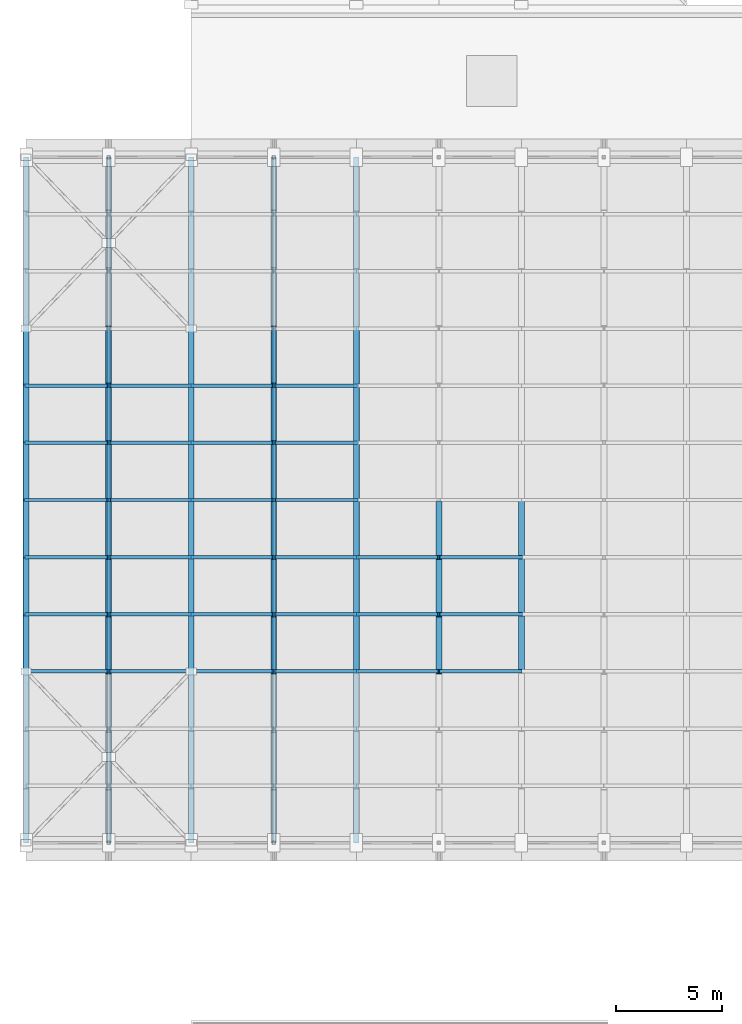
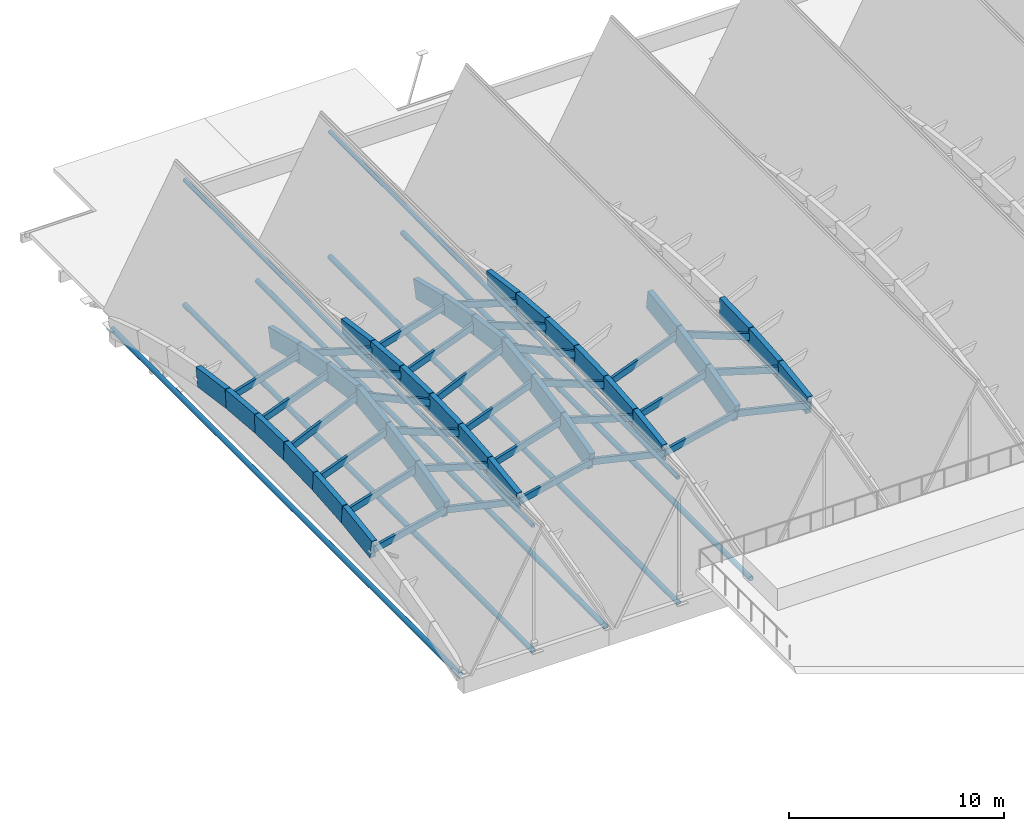
# One storey, part 6 of 39: 73 members.
"""IFC4 building model written with IfcOpenShell, lengths in metres."""

from ifc_helpers import new_model, si_unit, direction, frame, origin, origin_2d, place, context, subcontext, project, spatial, rectangle, hollow_circle, extrude, material, material_profile, profile_set, type_object, element, save


model = new_model("IFC4")

# Units and contexts
model_context = context("Model", 3, precision=1e-05, world=origin(), true_north=direction((0.0, 1.0)))
body_context = subcontext(model_context, "Body", "Model", "MODEL_VIEW")
ifc_project = project(units=[si_unit("LENGTHUNIT", "METRE"), si_unit("AREAUNIT", "SQUARE_METRE"), si_unit("VOLUMEUNIT", "CUBIC_METRE"), si_unit("PLANEANGLEUNIT", "RADIAN"), si_unit("MASSUNIT", "GRAM", prefix="KILO")], contexts=[model_context])

# Site, building, storey
site_placement = place(None, origin())
site = spatial("IfcSite", under=ifc_project, at=site_placement, CompositionType="ELEMENT")
building_placement = place(site_placement, origin())
building = spatial("IfcBuilding", under=site, at=building_placement, Name="Tizgana Railside Sports Hall", CompositionType="ELEMENT")
storey_placement = place(building_placement, frame((0.0, 0.0, 23.699951171875)))
storey = spatial("IfcBuildingStorey", under=building, at=storey_placement, Name="RF", CompositionType="ELEMENT", Elevation=23.699951171875)

# Members
ifc_material_1 = material(Name="Glulam GL32h", Category="wood")
ifc_material_profile_1 = material_profile(ifc_material_1, rectangle(XDim=0.280029296875, YDim=1.050048828125, at=origin_2d()), Name="GL 280x1050")
ifc_profile_set_1 = profile_set([ifc_material_profile_1], Name="Glulam GL32h")
member_type_1 = type_object("IfcMemberType", Name="Glulam Arch Segment GL 280x1050", PredefinedType="USERDEFINED", material=ifc_profile_set_1)
member_1_placement = place(storey_placement, frame((0.0, 48.89990234375, -6.1220703125), z_axis=(0.0, 0.990049503072, 0.140719513456), x_axis=(-1.0, 0.0, 0.0)))
element("IfcMember", 1, at=member_1_placement, inside=storey, type_object=member_type_1, Name="RF V1 Arch Chord MEM-0027", ObjectType="ARCH_SEGMENT", PredefinedType="USERDEFINED", context=body_context, shape_type="SweptSolid", body=[
    extrude(rectangle(XDim=0.280029296875, YDim=1.050048828125, at=origin_2d()), origin(), (0.0, 0.0, 1.0), 2.727294921875),
])
member_2_placement = place(storey_placement, frame((0.0, 51.60009765625, -5.73828125), z_axis=(0.0, 0.996429846681, 0.084424881666), x_axis=(-1.0, 0.0, 0.0)))
element("IfcMember", 2, at=member_2_placement, inside=storey, type_object=member_type_1, Name="RF V1 Arch Chord MEM-0028", ObjectType="ARCH_SEGMENT", PredefinedType="USERDEFINED", context=body_context, shape_type="SweptSolid", body=[
    extrude(rectangle(XDim=0.280029296875, YDim=1.050048828125, at=origin_2d()), origin(), (0.0, 0.0, 1.0), 2.709716796875),
])
for number, where, z_axis, x_axis, name in (
    (3, (0.0, 54.300048828125, -5.509521484375), (0.0, 0.999604813986, 0.028110778294), (-1.0, 0.0, 0.0), "RF V1 Arch Chord MEM-0029"),
    (4, (0.0, 57.0, -5.43359375), (0.0, 0.999604813986, -0.028110778294), (-1.0, 0.0, 0.0), "RF V1 Arch Chord MEM-0030"),
):
    element("IfcMember", number, at=place(storey_placement, frame(where, z_axis=z_axis, x_axis=x_axis)), inside=storey, type_object=member_type_1, Name=name, ObjectType="ARCH_SEGMENT", PredefinedType="USERDEFINED", context=body_context, shape_type="SweptSolid", body=[
        extrude(rectangle(XDim=0.280029296875, YDim=1.050048828125, at=origin_2d()), origin(), (0.0, 0.0, 1.0), 2.700927734375),
    ])
member_3_placement = place(storey_placement, frame((0.0, 59.699951171875, -5.509521484375), z_axis=(0.0, 0.996429846681, -0.084424881666), x_axis=(-1.0, 0.0, 0.0)))
element("IfcMember", 5, at=member_3_placement, inside=storey, type_object=member_type_1, Name="RF V1 Arch Chord MEM-0031", ObjectType="ARCH_SEGMENT", PredefinedType="USERDEFINED", context=body_context, shape_type="SweptSolid", body=[
    extrude(rectangle(XDim=0.280029296875, YDim=1.050048828125, at=origin_2d()), origin(), (0.0, 0.0, 1.0), 2.709716796875),
])
member_4_placement = place(storey_placement, frame((0.0, 62.39990234375, -5.73828125), z_axis=(0.0, 0.990049503072, -0.140719513456), x_axis=(-1.0, 0.0, 0.0)))
element("IfcMember", 6, at=member_4_placement, inside=storey, type_object=member_type_1, Name="RF V1 Arch Chord MEM-0032", ObjectType="ARCH_SEGMENT", PredefinedType="USERDEFINED", context=body_context, shape_type="SweptSolid", body=[
    extrude(rectangle(XDim=0.280029296875, YDim=1.050048828125, at=origin_2d()), origin(), (0.0, 0.0, 1.0), 2.727294921875),
])
member_5_placement = place(storey_placement, frame((3.89990234375, 48.89990234375, -5.221923828125), z_axis=(0.0, 0.969416374533, 0.24542186697), x_axis=(-1.0, 0.0, 0.0)))
element("IfcMember", 7, at=member_5_placement, inside=storey, type_object=member_type_1, Name="RF V1 Arch Chord MEM-0040", ObjectType="ARCH_SEGMENT", PredefinedType="USERDEFINED", context=body_context, shape_type="SweptSolid", body=[
    extrude(rectangle(XDim=0.280029296875, YDim=1.050048828125, at=origin_2d()), origin(), (0.0, 0.0, 1.0), 2.785400390625),
])
member_6_placement = place(storey_placement, frame((3.89990234375, 51.60009765625, -4.538330078125), z_axis=(0.0, 0.981354466381, 0.192206689048), x_axis=(-1.0, 0.0, 0.0)))
element("IfcMember", 8, at=member_6_placement, inside=storey, type_object=member_type_1, Name="RF V1 Arch Chord MEM-0041", ObjectType="ARCH_SEGMENT", PredefinedType="USERDEFINED", context=body_context, shape_type="SweptSolid", body=[
    extrude(rectangle(XDim=0.280029296875, YDim=1.050048828125, at=origin_2d()), origin(), (0.0, 0.0, 1.0), 2.751220703125),
])
for number, where, z_axis, x_axis, name in (
    (9, (3.89990234375, 54.300048828125, -4.009521484375), (0.0, 0.990443057088, 0.137922263126), (-1.0, 0.0, 0.0), "RF V1 Arch Chord MEM-0042"),
    (10, (3.89990234375, 57.0, -3.633544921875), (0.0, 0.990443057088, -0.137922263126), (-1.0, 0.0, 0.0), "RF V1 Arch Chord MEM-0043"),
):
    element("IfcMember", number, at=place(storey_placement, frame(where, z_axis=z_axis, x_axis=x_axis)), inside=storey, type_object=member_type_1, Name=name, ObjectType="ARCH_SEGMENT", PredefinedType="USERDEFINED", context=body_context, shape_type="SweptSolid", body=[
        extrude(rectangle(XDim=0.280029296875, YDim=1.050048828125, at=origin_2d()), origin(), (0.0, 0.0, 1.0), 2.72607421875),
    ])
member_7_placement = place(storey_placement, frame((3.89990234375, 59.699951171875, -4.009521484375), z_axis=(0.0, 0.981354466381, -0.192206689048), x_axis=(-1.0, 0.0, 0.0)))
element("IfcMember", 11, at=member_7_placement, inside=storey, type_object=member_type_1, Name="RF V1 Arch Chord MEM-0044", ObjectType="ARCH_SEGMENT", PredefinedType="USERDEFINED", context=body_context, shape_type="SweptSolid", body=[
    extrude(rectangle(XDim=0.280029296875, YDim=1.050048828125, at=origin_2d()), origin(), (0.0, 0.0, 1.0), 2.751220703125),
])
member_8_placement = place(storey_placement, frame((3.89990234375, 62.39990234375, -4.538330078125), z_axis=(0.0, 0.969416374533, -0.24542186697), x_axis=(-1.0, 0.0, 0.0)))
element("IfcMember", 12, at=member_8_placement, inside=storey, type_object=member_type_1, Name="RF V1 Arch Chord MEM-0045", ObjectType="ARCH_SEGMENT", PredefinedType="USERDEFINED", context=body_context, shape_type="SweptSolid", body=[
    extrude(rectangle(XDim=0.280029296875, YDim=1.050048828125, at=origin_2d()), origin(), (0.0, 0.0, 1.0), 2.785400390625),
])
member_9_placement = place(storey_placement, frame((7.800048828125, 48.89990234375, -6.1220703125), z_axis=(0.0, 0.990049503072, 0.140719513456), x_axis=(-1.0, 0.0, 0.0)))
element("IfcMember", 13, at=member_9_placement, inside=storey, type_object=member_type_1, Name="RF V1 Arch Chord MEM-0053", ObjectType="ARCH_SEGMENT", PredefinedType="USERDEFINED", context=body_context, shape_type="SweptSolid", body=[
    extrude(rectangle(XDim=0.280029296875, YDim=1.050048828125, at=origin_2d()), origin(), (0.0, 0.0, 1.0), 2.727294921875),
])
member_10_placement = place(storey_placement, frame((7.800048828125, 51.60009765625, -5.73828125), z_axis=(0.0, 0.996429846681, 0.084424881666), x_axis=(-1.0, 0.0, 0.0)))
element("IfcMember", 14, at=member_10_placement, inside=storey, type_object=member_type_1, Name="RF V1 Arch Chord MEM-0054", ObjectType="ARCH_SEGMENT", PredefinedType="USERDEFINED", context=body_context, shape_type="SweptSolid", body=[
    extrude(rectangle(XDim=0.280029296875, YDim=1.050048828125, at=origin_2d()), origin(), (0.0, 0.0, 1.0), 2.709716796875),
])
for number, where, z_axis, x_axis, name in (
    (15, (7.800048828125, 54.300048828125, -5.509521484375), (0.0, 0.999604813986, 0.028110778294), (-1.0, 0.0, 0.0), "RF V1 Arch Chord MEM-0055"),
    (16, (7.800048828125, 57.0, -5.43359375), (0.0, 0.999604813986, -0.028110778294), (-1.0, 0.0, 0.0), "RF V1 Arch Chord MEM-0056"),
):
    element("IfcMember", number, at=place(storey_placement, frame(where, z_axis=z_axis, x_axis=x_axis)), inside=storey, type_object=member_type_1, Name=name, ObjectType="ARCH_SEGMENT", PredefinedType="USERDEFINED", context=body_context, shape_type="SweptSolid", body=[
        extrude(rectangle(XDim=0.280029296875, YDim=1.050048828125, at=origin_2d()), origin(), (0.0, 0.0, 1.0), 2.700927734375),
    ])
member_11_placement = place(storey_placement, frame((7.800048828125, 59.699951171875, -5.509521484375), z_axis=(0.0, 0.996429846681, -0.084424881666), x_axis=(-1.0, 0.0, 0.0)))
element("IfcMember", 17, at=member_11_placement, inside=storey, type_object=member_type_1, Name="RF V1 Arch Chord MEM-0057", ObjectType="ARCH_SEGMENT", PredefinedType="USERDEFINED", context=body_context, shape_type="SweptSolid", body=[
    extrude(rectangle(XDim=0.280029296875, YDim=1.050048828125, at=origin_2d()), origin(), (0.0, 0.0, 1.0), 2.709716796875),
])
member_12_placement = place(storey_placement, frame((7.800048828125, 62.39990234375, -5.73828125), z_axis=(0.0, 0.990049503072, -0.140719513456), x_axis=(-1.0, 0.0, 0.0)))
element("IfcMember", 18, at=member_12_placement, inside=storey, type_object=member_type_1, Name="RF V1 Arch Chord MEM-0058", ObjectType="ARCH_SEGMENT", PredefinedType="USERDEFINED", context=body_context, shape_type="SweptSolid", body=[
    extrude(rectangle(XDim=0.280029296875, YDim=1.050048828125, at=origin_2d()), origin(), (0.0, 0.0, 1.0), 2.727294921875),
])
member_13_placement = place(storey_placement, frame((11.699951171875, 48.89990234375, -5.221923828125), z_axis=(0.0, 0.969416374533, 0.24542186697), x_axis=(-1.0, 0.0, 0.0)))
element("IfcMember", 19, at=member_13_placement, inside=storey, type_object=member_type_1, Name="RF V1 Arch Chord MEM-0066", ObjectType="ARCH_SEGMENT", PredefinedType="USERDEFINED", context=body_context, shape_type="SweptSolid", body=[
    extrude(rectangle(XDim=0.280029296875, YDim=1.050048828125, at=origin_2d()), origin(), (0.0, 0.0, 1.0), 2.785400390625),
])
member_14_placement = place(storey_placement, frame((11.699951171875, 51.60009765625, -4.538330078125), z_axis=(0.0, 0.981354466381, 0.192206689048), x_axis=(-1.0, 0.0, 0.0)))
element("IfcMember", 20, at=member_14_placement, inside=storey, type_object=member_type_1, Name="RF V1 Arch Chord MEM-0067", ObjectType="ARCH_SEGMENT", PredefinedType="USERDEFINED", context=body_context, shape_type="SweptSolid", body=[
    extrude(rectangle(XDim=0.280029296875, YDim=1.050048828125, at=origin_2d()), origin(), (0.0, 0.0, 1.0), 2.751220703125),
])
for number, where, z_axis, x_axis, name in (
    (21, (11.699951171875, 54.300048828125, -4.009521484375), (0.0, 0.990443057088, 0.137922263126), (-1.0, 0.0, 0.0), "RF V1 Arch Chord MEM-0068"),
    (22, (11.699951171875, 57.0, -3.633544921875), (0.0, 0.990443057088, -0.137922263126), (-1.0, 0.0, 0.0), "RF V1 Arch Chord MEM-0069"),
):
    element("IfcMember", number, at=place(storey_placement, frame(where, z_axis=z_axis, x_axis=x_axis)), inside=storey, type_object=member_type_1, Name=name, ObjectType="ARCH_SEGMENT", PredefinedType="USERDEFINED", context=body_context, shape_type="SweptSolid", body=[
        extrude(rectangle(XDim=0.280029296875, YDim=1.050048828125, at=origin_2d()), origin(), (0.0, 0.0, 1.0), 2.72607421875),
    ])
member_15_placement = place(storey_placement, frame((11.699951171875, 59.699951171875, -4.009521484375), z_axis=(0.0, 0.981354466381, -0.192206689048), x_axis=(-1.0, 0.0, 0.0)))
element("IfcMember", 23, at=member_15_placement, inside=storey, type_object=member_type_1, Name="RF V1 Arch Chord MEM-0070", ObjectType="ARCH_SEGMENT", PredefinedType="USERDEFINED", context=body_context, shape_type="SweptSolid", body=[
    extrude(rectangle(XDim=0.280029296875, YDim=1.050048828125, at=origin_2d()), origin(), (0.0, 0.0, 1.0), 2.751220703125),
])
member_16_placement = place(storey_placement, frame((11.699951171875, 62.39990234375, -4.538330078125), z_axis=(0.0, 0.969416374533, -0.24542186697), x_axis=(-1.0, 0.0, 0.0)))
element("IfcMember", 24, at=member_16_placement, inside=storey, type_object=member_type_1, Name="RF V1 Arch Chord MEM-0071", ObjectType="ARCH_SEGMENT", PredefinedType="USERDEFINED", context=body_context, shape_type="SweptSolid", body=[
    extrude(rectangle(XDim=0.280029296875, YDim=1.050048828125, at=origin_2d()), origin(), (0.0, 0.0, 1.0), 2.785400390625),
])
member_17_placement = place(storey_placement, frame((15.60009765625, 48.89990234375, -6.1220703125), z_axis=(0.0, 0.990049503072, 0.140719513456), x_axis=(-1.0, 0.0, 0.0)))
element("IfcMember", 25, at=member_17_placement, inside=storey, type_object=member_type_1, Name="RF V1 Arch Chord MEM-0079", ObjectType="ARCH_SEGMENT", PredefinedType="USERDEFINED", context=body_context, shape_type="SweptSolid", body=[
    extrude(rectangle(XDim=0.280029296875, YDim=1.050048828125, at=origin_2d()), origin(), (0.0, 0.0, 1.0), 2.727294921875),
])
member_18_placement = place(storey_placement, frame((15.60009765625, 51.60009765625, -5.73828125), z_axis=(0.0, 0.996429846681, 0.084424881666), x_axis=(-1.0, 0.0, 0.0)))
element("IfcMember", 26, at=member_18_placement, inside=storey, type_object=member_type_1, Name="RF V1 Arch Chord MEM-0080", ObjectType="ARCH_SEGMENT", PredefinedType="USERDEFINED", context=body_context, shape_type="SweptSolid", body=[
    extrude(rectangle(XDim=0.280029296875, YDim=1.050048828125, at=origin_2d()), origin(), (0.0, 0.0, 1.0), 2.709716796875),
])
for number, where, z_axis, x_axis, name in (
    (27, (15.60009765625, 54.300048828125, -5.509521484375), (0.0, 0.999604813986, 0.028110778294), (-1.0, 0.0, 0.0), "RF V1 Arch Chord MEM-0081"),
    (28, (15.60009765625, 57.0, -5.43359375), (0.0, 0.999604813986, -0.028110778294), (-1.0, 0.0, 0.0), "RF V1 Arch Chord MEM-0082"),
):
    element("IfcMember", number, at=place(storey_placement, frame(where, z_axis=z_axis, x_axis=x_axis)), inside=storey, type_object=member_type_1, Name=name, ObjectType="ARCH_SEGMENT", PredefinedType="USERDEFINED", context=body_context, shape_type="SweptSolid", body=[
        extrude(rectangle(XDim=0.280029296875, YDim=1.050048828125, at=origin_2d()), origin(), (0.0, 0.0, 1.0), 2.700927734375),
    ])
member_19_placement = place(storey_placement, frame((15.60009765625, 59.699951171875, -5.509521484375), z_axis=(0.0, 0.996429846681, -0.084424881666), x_axis=(-1.0, 0.0, 0.0)))
element("IfcMember", 29, at=member_19_placement, inside=storey, type_object=member_type_1, Name="RF V1 Arch Chord MEM-0083", ObjectType="ARCH_SEGMENT", PredefinedType="USERDEFINED", context=body_context, shape_type="SweptSolid", body=[
    extrude(rectangle(XDim=0.280029296875, YDim=1.050048828125, at=origin_2d()), origin(), (0.0, 0.0, 1.0), 2.709716796875),
])
member_20_placement = place(storey_placement, frame((15.60009765625, 62.39990234375, -5.73828125), z_axis=(0.0, 0.990049503072, -0.140719513456), x_axis=(-1.0, 0.0, 0.0)))
element("IfcMember", 30, at=member_20_placement, inside=storey, type_object=member_type_1, Name="RF V1 Arch Chord MEM-0084", ObjectType="ARCH_SEGMENT", PredefinedType="USERDEFINED", context=body_context, shape_type="SweptSolid", body=[
    extrude(rectangle(XDim=0.280029296875, YDim=1.050048828125, at=origin_2d()), origin(), (0.0, 0.0, 1.0), 2.727294921875),
])
member_21_placement = place(storey_placement, frame((19.5, 48.89990234375, -5.221923828125), z_axis=(0.0, 0.969416374533, 0.24542186697), x_axis=(-1.0, 0.0, 0.0)))
element("IfcMember", 31, at=member_21_placement, inside=storey, type_object=member_type_1, Name="RF V1 Arch Chord MEM-0092", ObjectType="ARCH_SEGMENT", PredefinedType="USERDEFINED", context=body_context, shape_type="SweptSolid", body=[
    extrude(rectangle(XDim=0.280029296875, YDim=1.050048828125, at=origin_2d()), origin(), (0.0, 0.0, 1.0), 2.785400390625),
])
member_22_placement = place(storey_placement, frame((19.5, 51.60009765625, -4.538330078125), z_axis=(0.0, 0.981354466381, 0.192206689048), x_axis=(-1.0, 0.0, 0.0)))
element("IfcMember", 32, at=member_22_placement, inside=storey, type_object=member_type_1, Name="RF V1 Arch Chord MEM-0093", ObjectType="ARCH_SEGMENT", PredefinedType="USERDEFINED", context=body_context, shape_type="SweptSolid", body=[
    extrude(rectangle(XDim=0.280029296875, YDim=1.050048828125, at=origin_2d()), origin(), (0.0, 0.0, 1.0), 2.751220703125),
])
member_23_placement = place(storey_placement, frame((19.5, 54.300048828125, -4.009521484375), z_axis=(0.0, 0.990443057088, 0.137922263126), x_axis=(-1.0, 0.0, 0.0)))
element("IfcMember", 33, at=member_23_placement, inside=storey, type_object=member_type_1, Name="RF V1 Arch Chord MEM-0094", ObjectType="ARCH_SEGMENT", PredefinedType="USERDEFINED", context=body_context, shape_type="SweptSolid", body=[
    extrude(rectangle(XDim=0.280029296875, YDim=1.050048828125, at=origin_2d()), origin(), (0.0, 0.0, 1.0), 2.72607421875),
])
member_24_placement = place(storey_placement, frame((23.39990234375, 48.89990234375, -6.1220703125), z_axis=(0.0, 0.990049503072, 0.140719513456), x_axis=(-1.0, 0.0, 0.0)))
element("IfcMember", 34, at=member_24_placement, inside=storey, type_object=member_type_1, Name="RF V1 Arch Chord MEM-0105", ObjectType="ARCH_SEGMENT", PredefinedType="USERDEFINED", context=body_context, shape_type="SweptSolid", body=[
    extrude(rectangle(XDim=0.280029296875, YDim=1.050048828125, at=origin_2d()), origin(), (0.0, 0.0, 1.0), 2.727294921875),
])
member_25_placement = place(storey_placement, frame((23.39990234375, 51.60009765625, -5.73828125), z_axis=(0.0, 0.996429846681, 0.084424881666), x_axis=(-1.0, 0.0, 0.0)))
element("IfcMember", 35, at=member_25_placement, inside=storey, type_object=member_type_1, Name="RF V1 Arch Chord MEM-0106", ObjectType="ARCH_SEGMENT", PredefinedType="USERDEFINED", context=body_context, shape_type="SweptSolid", body=[
    extrude(rectangle(XDim=0.280029296875, YDim=1.050048828125, at=origin_2d()), origin(), (0.0, 0.0, 1.0), 2.709716796875),
])
member_26_placement = place(storey_placement, frame((23.39990234375, 54.300048828125, -5.509521484375), z_axis=(0.0, 0.999604813986, 0.028110778294), x_axis=(-1.0, 0.0, 0.0)))
element("IfcMember", 36, at=member_26_placement, inside=storey, type_object=member_type_1, Name="RF V1 Arch Chord MEM-0107", ObjectType="ARCH_SEGMENT", PredefinedType="USERDEFINED", context=body_context, shape_type="SweptSolid", body=[
    extrude(rectangle(XDim=0.280029296875, YDim=1.050048828125, at=origin_2d()), origin(), (0.0, 0.0, 1.0), 2.700927734375),
])
ifc_material_2 = material(Name="Glulam GL28h", Category="wood")
ifc_material_profile_2 = material_profile(ifc_material_2, rectangle(XDim=0.159912109375, YDim=0.360107421875, at=origin_2d()), Name="GL 160x360")
ifc_profile_set_2 = profile_set([ifc_material_profile_2], Name="Glulam GL28h")
member_type_2 = type_object("IfcMemberType", Name="Glulam Roof Purlin GL 160x360", PredefinedType="PURLIN", material=ifc_profile_set_2)
member_27_placement = place(storey_placement, frame((0.0, 48.89990234375, -6.1220703125), z_axis=(0.974381942365, 0.0, 0.224899600695), x_axis=(0.0, 1.0, 0.0)))
element("IfcMember", 37, at=member_27_placement, inside=storey, type_object=member_type_2, Name="RF V1 Purlin MEM-0225", PredefinedType="PURLIN", context=body_context, shape_type="SweptSolid", body=[
    extrude(rectangle(XDim=0.159912109375, YDim=0.360107421875, at=origin_2d()), origin(), (0.0, 0.0, 1.0), 4.00244140625),
])
member_28_placement = place(storey_placement, frame((3.89990234375, 48.89990234375, -5.221923828125), z_axis=(0.974385027358, 0.0, -0.224886234483), x_axis=(0.0, 1.0, 0.0)))
element("IfcMember", 38, at=member_28_placement, inside=storey, type_object=member_type_2, Name="RF V1 Purlin MEM-0226", PredefinedType="PURLIN", context=body_context, shape_type="SweptSolid", body=[
    extrude(rectangle(XDim=0.159912109375, YDim=0.360107421875, at=origin_2d()), origin(), (0.0, 0.0, 1.0), 4.002685546875),
])
member_29_placement = place(storey_placement, frame((0.0, 51.60009765625, -5.73828125), z_axis=(0.95578030241, 0.0, 0.294081644319), x_axis=(0.0, 1.0, 0.0)))
element("IfcMember", 39, at=member_29_placement, inside=storey, type_object=member_type_2, Name="RF V1 Purlin MEM-0227", PredefinedType="PURLIN", context=body_context, shape_type="SweptSolid", body=[
    extrude(rectangle(XDim=0.159912109375, YDim=0.360107421875, at=origin_2d()), origin(), (0.0, 0.0, 1.0), 4.080322265625),
])
member_30_placement = place(storey_placement, frame((3.89990234375, 51.60009765625, -4.538330078125), z_axis=(0.955785476607, 0.0, -0.294064827388), x_axis=(0.0, 1.0, 0.0)))
element("IfcMember", 40, at=member_30_placement, inside=storey, type_object=member_type_2, Name="RF V1 Purlin MEM-0228", PredefinedType="PURLIN", context=body_context, shape_type="SweptSolid", body=[
    extrude(rectangle(XDim=0.159912109375, YDim=0.360107421875, at=origin_2d()), origin(), (0.0, 0.0, 1.0), 4.08056640625),
])
member_31_placement = place(storey_placement, frame((0.0, 54.300048828125, -5.509521484375), z_axis=(0.933342594373, 0.0, 0.358986909968), x_axis=(0.0, 1.0, 0.0)))
element("IfcMember", 41, at=member_31_placement, inside=storey, type_object=member_type_2, Name="RF V1 Purlin MEM-0229", PredefinedType="PURLIN", context=body_context, shape_type="SweptSolid", body=[
    extrude(rectangle(XDim=0.159912109375, YDim=0.360107421875, at=origin_2d()), origin(), (0.0, 0.0, 1.0), 4.178466796875),
])
member_32_placement = place(storey_placement, frame((3.89990234375, 54.300048828125, -4.009521484375), z_axis=(0.933350123578, 0.0, -0.358967333913), x_axis=(0.0, 1.0, 0.0)))
element("IfcMember", 42, at=member_32_placement, inside=storey, type_object=member_type_2, Name="RF V1 Purlin MEM-0230", PredefinedType="PURLIN", context=body_context, shape_type="SweptSolid", body=[
    extrude(rectangle(XDim=0.159912109375, YDim=0.360107421875, at=origin_2d()), origin(), (0.0, 0.0, 1.0), 4.1787109375),
])
member_33_placement = place(storey_placement, frame((0.0, 57.0, -5.43359375), z_axis=(0.907951066374, 0.0, 0.419076199598), x_axis=(0.0, 1.0, 0.0)))
element("IfcMember", 43, at=member_33_placement, inside=storey, type_object=member_type_2, Name="RF V1 Purlin MEM-0231", PredefinedType="PURLIN", context=body_context, shape_type="SweptSolid", body=[
    extrude(rectangle(XDim=0.159912109375, YDim=0.360107421875, at=origin_2d()), origin(), (0.0, 0.0, 1.0), 4.295166015625),
])
member_34_placement = place(storey_placement, frame((3.89990234375, 57.0, -3.633544921875), z_axis=(0.907961047997, 0.0, -0.419054573201), x_axis=(0.0, 1.0, 0.0)))
element("IfcMember", 44, at=member_34_placement, inside=storey, type_object=member_type_2, Name="RF V1 Purlin MEM-0232", PredefinedType="PURLIN", context=body_context, shape_type="SweptSolid", body=[
    extrude(rectangle(XDim=0.159912109375, YDim=0.360107421875, at=origin_2d()), origin(), (0.0, 0.0, 1.0), 4.29541015625),
])
member_35_placement = place(storey_placement, frame((0.0, 59.699951171875, -5.509521484375), z_axis=(0.933342594373, 0.0, 0.358986909968), x_axis=(0.0, 1.0, 0.0)))
element("IfcMember", 45, at=member_35_placement, inside=storey, type_object=member_type_2, Name="RF V1 Purlin MEM-0233", PredefinedType="PURLIN", context=body_context, shape_type="SweptSolid", body=[
    extrude(rectangle(XDim=0.159912109375, YDim=0.360107421875, at=origin_2d()), origin(), (0.0, 0.0, 1.0), 4.178466796875),
])
member_36_placement = place(storey_placement, frame((3.89990234375, 59.699951171875, -4.009521484375), z_axis=(0.933350123578, 0.0, -0.358967333913), x_axis=(0.0, 1.0, 0.0)))
element("IfcMember", 46, at=member_36_placement, inside=storey, type_object=member_type_2, Name="RF V1 Purlin MEM-0234", PredefinedType="PURLIN", context=body_context, shape_type="SweptSolid", body=[
    extrude(rectangle(XDim=0.159912109375, YDim=0.360107421875, at=origin_2d()), origin(), (0.0, 0.0, 1.0), 4.1787109375),
])
member_37_placement = place(storey_placement, frame((0.0, 62.39990234375, -5.73828125), z_axis=(0.95578030241, 0.0, 0.294081644319), x_axis=(0.0, 1.0, 0.0)))
element("IfcMember", 47, at=member_37_placement, inside=storey, type_object=member_type_2, Name="RF V1 Purlin MEM-0235", PredefinedType="PURLIN", context=body_context, shape_type="SweptSolid", body=[
    extrude(rectangle(XDim=0.159912109375, YDim=0.360107421875, at=origin_2d()), origin(), (0.0, 0.0, 1.0), 4.080322265625),
])
member_38_placement = place(storey_placement, frame((3.89990234375, 62.39990234375, -4.538330078125), z_axis=(0.955785476607, 0.0, -0.294064827388), x_axis=(0.0, 1.0, 0.0)))
element("IfcMember", 48, at=member_38_placement, inside=storey, type_object=member_type_2, Name="RF V1 Purlin MEM-0236", PredefinedType="PURLIN", context=body_context, shape_type="SweptSolid", body=[
    extrude(rectangle(XDim=0.159912109375, YDim=0.360107421875, at=origin_2d()), origin(), (0.0, 0.0, 1.0), 4.08056640625),
])
member_39_placement = place(storey_placement, frame((7.800048828125, 48.89990234375, -6.1220703125), z_axis=(0.974381942365, 0.0, 0.224899600695), x_axis=(0.0, 1.0, 0.0)))
element("IfcMember", 49, at=member_39_placement, inside=storey, type_object=member_type_2, Name="RF V1 Purlin MEM-0256", PredefinedType="PURLIN", context=body_context, shape_type="SweptSolid", body=[
    extrude(rectangle(XDim=0.159912109375, YDim=0.360107421875, at=origin_2d()), origin(), (0.0, 0.0, 1.0), 4.00244140625),
])
member_40_placement = place(storey_placement, frame((11.699951171875, 48.89990234375, -5.221923828125), z_axis=(0.974385027358, 0.0, -0.224886234483), x_axis=(0.0, 1.0, 0.0)))
element("IfcMember", 50, at=member_40_placement, inside=storey, type_object=member_type_2, Name="RF V1 Purlin MEM-0257", PredefinedType="PURLIN", context=body_context, shape_type="SweptSolid", body=[
    extrude(rectangle(XDim=0.159912109375, YDim=0.360107421875, at=origin_2d()), origin(), (0.0, 0.0, 1.0), 4.002685546875),
])
member_41_placement = place(storey_placement, frame((7.800048828125, 51.60009765625, -5.73828125), z_axis=(0.95578030241, 0.0, 0.294081644319), x_axis=(0.0, 1.0, 0.0)))
element("IfcMember", 51, at=member_41_placement, inside=storey, type_object=member_type_2, Name="RF V1 Purlin MEM-0258", PredefinedType="PURLIN", context=body_context, shape_type="SweptSolid", body=[
    extrude(rectangle(XDim=0.159912109375, YDim=0.360107421875, at=origin_2d()), origin(), (0.0, 0.0, 1.0), 4.080322265625),
])
member_42_placement = place(storey_placement, frame((11.699951171875, 51.60009765625, -4.538330078125), z_axis=(0.955785476607, 0.0, -0.294064827388), x_axis=(0.0, 1.0, 0.0)))
element("IfcMember", 52, at=member_42_placement, inside=storey, type_object=member_type_2, Name="RF V1 Purlin MEM-0259", PredefinedType="PURLIN", context=body_context, shape_type="SweptSolid", body=[
    extrude(rectangle(XDim=0.159912109375, YDim=0.360107421875, at=origin_2d()), origin(), (0.0, 0.0, 1.0), 4.08056640625),
])
member_43_placement = place(storey_placement, frame((7.800048828125, 54.300048828125, -5.509521484375), z_axis=(0.933342594373, 0.0, 0.358986909968), x_axis=(0.0, 1.0, 0.0)))
element("IfcMember", 53, at=member_43_placement, inside=storey, type_object=member_type_2, Name="RF V1 Purlin MEM-0260", PredefinedType="PURLIN", context=body_context, shape_type="SweptSolid", body=[
    extrude(rectangle(XDim=0.159912109375, YDim=0.360107421875, at=origin_2d()), origin(), (0.0, 0.0, 1.0), 4.178466796875),
])
member_44_placement = place(storey_placement, frame((11.699951171875, 54.300048828125, -4.009521484375), z_axis=(0.933350123578, 0.0, -0.358967333913), x_axis=(0.0, 1.0, 0.0)))
element("IfcMember", 54, at=member_44_placement, inside=storey, type_object=member_type_2, Name="RF V1 Purlin MEM-0261", PredefinedType="PURLIN", context=body_context, shape_type="SweptSolid", body=[
    extrude(rectangle(XDim=0.159912109375, YDim=0.360107421875, at=origin_2d()), origin(), (0.0, 0.0, 1.0), 4.1787109375),
])
member_45_placement = place(storey_placement, frame((7.800048828125, 57.0, -5.43359375), z_axis=(0.907951066374, 0.0, 0.419076199598), x_axis=(0.0, 1.0, 0.0)))
element("IfcMember", 55, at=member_45_placement, inside=storey, type_object=member_type_2, Name="RF V1 Purlin MEM-0262", PredefinedType="PURLIN", context=body_context, shape_type="SweptSolid", body=[
    extrude(rectangle(XDim=0.159912109375, YDim=0.360107421875, at=origin_2d()), origin(), (0.0, 0.0, 1.0), 4.295166015625),
])
member_46_placement = place(storey_placement, frame((11.699951171875, 57.0, -3.633544921875), z_axis=(0.907961047997, 0.0, -0.419054573201), x_axis=(0.0, 1.0, 0.0)))
element("IfcMember", 56, at=member_46_placement, inside=storey, type_object=member_type_2, Name="RF V1 Purlin MEM-0263", PredefinedType="PURLIN", context=body_context, shape_type="SweptSolid", body=[
    extrude(rectangle(XDim=0.159912109375, YDim=0.360107421875, at=origin_2d()), origin(), (0.0, 0.0, 1.0), 4.29541015625),
])
member_47_placement = place(storey_placement, frame((7.800048828125, 59.699951171875, -5.509521484375), z_axis=(0.933342594373, 0.0, 0.358986909968), x_axis=(0.0, 1.0, 0.0)))
element("IfcMember", 57, at=member_47_placement, inside=storey, type_object=member_type_2, Name="RF V1 Purlin MEM-0264", PredefinedType="PURLIN", context=body_context, shape_type="SweptSolid", body=[
    extrude(rectangle(XDim=0.159912109375, YDim=0.360107421875, at=origin_2d()), origin(), (0.0, 0.0, 1.0), 4.178466796875),
])
member_48_placement = place(storey_placement, frame((11.699951171875, 59.699951171875, -4.009521484375), z_axis=(0.933350123578, 0.0, -0.358967333913), x_axis=(0.0, 1.0, 0.0)))
element("IfcMember", 58, at=member_48_placement, inside=storey, type_object=member_type_2, Name="RF V1 Purlin MEM-0265", PredefinedType="PURLIN", context=body_context, shape_type="SweptSolid", body=[
    extrude(rectangle(XDim=0.159912109375, YDim=0.360107421875, at=origin_2d()), origin(), (0.0, 0.0, 1.0), 4.1787109375),
])
member_49_placement = place(storey_placement, frame((7.800048828125, 62.39990234375, -5.73828125), z_axis=(0.95578030241, 0.0, 0.294081644319), x_axis=(0.0, 1.0, 0.0)))
element("IfcMember", 59, at=member_49_placement, inside=storey, type_object=member_type_2, Name="RF V1 Purlin MEM-0266", PredefinedType="PURLIN", context=body_context, shape_type="SweptSolid", body=[
    extrude(rectangle(XDim=0.159912109375, YDim=0.360107421875, at=origin_2d()), origin(), (0.0, 0.0, 1.0), 4.080322265625),
])
member_50_placement = place(storey_placement, frame((11.699951171875, 62.39990234375, -4.538330078125), z_axis=(0.955785476607, 0.0, -0.294064827388), x_axis=(0.0, 1.0, 0.0)))
element("IfcMember", 60, at=member_50_placement, inside=storey, type_object=member_type_2, Name="RF V1 Purlin MEM-0267", PredefinedType="PURLIN", context=body_context, shape_type="SweptSolid", body=[
    extrude(rectangle(XDim=0.159912109375, YDim=0.360107421875, at=origin_2d()), origin(), (0.0, 0.0, 1.0), 4.08056640625),
])
for number, where, z_axis, x_axis, name in (
    (61, (15.60009765625, 48.89990234375, -6.1220703125), (0.974381942365, 0.0, 0.224899600695), (0.0, 1.0, 0.0), "RF V1 Purlin MEM-0281"),
    (62, (19.5, 48.89990234375, -5.221923828125), (0.974381942365, 0.0, -0.224899600695), (0.0, 1.0, 0.0), "RF V1 Purlin MEM-0282"),
):
    element("IfcMember", number, at=place(storey_placement, frame(where, z_axis=z_axis, x_axis=x_axis)), inside=storey, type_object=member_type_2, Name=name, PredefinedType="PURLIN", context=body_context, shape_type="SweptSolid", body=[
        extrude(rectangle(XDim=0.159912109375, YDim=0.360107421875, at=origin_2d()), origin(), (0.0, 0.0, 1.0), 4.00244140625),
    ])
for number, where, z_axis, x_axis, name in (
    (63, (15.60009765625, 51.60009765625, -5.73828125), (0.95578030241, 0.0, 0.294081644319), (0.0, 1.0, 0.0), "RF V1 Purlin MEM-0283"),
    (64, (19.5, 51.60009765625, -4.538330078125), (0.95578030241, 0.0, -0.294081644319), (0.0, 1.0, 0.0), "RF V1 Purlin MEM-0284"),
):
    element("IfcMember", number, at=place(storey_placement, frame(where, z_axis=z_axis, x_axis=x_axis)), inside=storey, type_object=member_type_2, Name=name, PredefinedType="PURLIN", context=body_context, shape_type="SweptSolid", body=[
        extrude(rectangle(XDim=0.159912109375, YDim=0.360107421875, at=origin_2d()), origin(), (0.0, 0.0, 1.0), 4.080322265625),
    ])
for number, where, z_axis, x_axis, name in (
    (65, (15.60009765625, 54.300048828125, -5.509521484375), (0.933342594373, 0.0, 0.358986909968), (0.0, 1.0, 0.0), "RF V1 Purlin MEM-0285"),
    (66, (19.5, 54.300048828125, -4.009521484375), (0.933342594373, 0.0, -0.358986909968), (0.0, 1.0, 0.0), "RF V1 Purlin MEM-0286"),
):
    element("IfcMember", number, at=place(storey_placement, frame(where, z_axis=z_axis, x_axis=x_axis)), inside=storey, type_object=member_type_2, Name=name, PredefinedType="PURLIN", context=body_context, shape_type="SweptSolid", body=[
        extrude(rectangle(XDim=0.159912109375, YDim=0.360107421875, at=origin_2d()), origin(), (0.0, 0.0, 1.0), 4.178466796875),
    ])
ifc_material_3 = material(Name="Steel S355J2", Category="steel")
ifc_material_profile_3 = material_profile(ifc_material_3, hollow_circle(Radius=0.109619140625, WallThickness=0.010009765625, at=origin_2d()), Name="CHS 219.1x10")
ifc_profile_set_3 = profile_set([ifc_material_profile_3], Name="Steel S355J2")
member_type_3 = type_object("IfcMemberType", Name="Steel Chord CHS 219.1x10", PredefinedType="CHORD", material=ifc_profile_set_3)
for number, where, z_axis, x_axis, name in (
    (67, (3.89990234375, 40.800048828125, -1.25), (0.0, 1.0, 0.0), (-1.0, 0.0, 0.0), "RF V1 Ridge Chord MEM-0220"),
    (68, (11.699951171875, 40.800048828125, -1.25), (0.0, 1.0, 0.0), (-1.0, 0.0, 0.0), "RF V1 Ridge Chord MEM-0251"),
):
    element("IfcMember", number, at=place(storey_placement, frame(where, z_axis=z_axis, x_axis=x_axis)), inside=storey, type_object=member_type_3, Name=name, PredefinedType="CHORD", context=body_context, shape_type="SweptSolid", body=[
        extrude(hollow_circle(Radius=0.109619140625, WallThickness=0.010009765625, at=origin_2d()), origin(), (0.0, 0.0, 1.0), 32.39990234375),
    ])
ifc_material_profile_4 = material_profile(ifc_material_3, hollow_circle(Radius=0.136474609375, WallThickness=0.012451171875, at=origin_2d()), Name="CHS 273x12.5")
ifc_profile_set_4 = profile_set([ifc_material_profile_4], Name="Steel S355J2")
member_type_4 = type_object("IfcMemberType", Name="Steel Chord CHS 273x12.5", PredefinedType="CHORD", material=ifc_profile_set_4)
for number, where, z_axis, x_axis, name in (
    (69, (0.0, 40.800048828125, -8.349853515625), (0.0, 1.0, 0.0), (-1.0, 0.0, 0.0), "RF V1 Tie Chord MEM-0023"),
    (70, (3.89990234375, 40.800048828125, -8.349853515625), (0.0, 1.0, 0.0), (-1.0, 0.0, 0.0), "RF V1 Tie Chord MEM-0036"),
    (71, (7.800048828125, 40.800048828125, -8.349853515625), (0.0, 1.0, 0.0), (-1.0, 0.0, 0.0), "RF V1 Tie Chord MEM-0049"),
    (72, (11.699951171875, 40.800048828125, -8.349853515625), (0.0, 1.0, 0.0), (-1.0, 0.0, 0.0), "RF V1 Tie Chord MEM-0062"),
    (73, (15.60009765625, 40.800048828125, -8.349853515625), (0.0, 1.0, 0.0), (-1.0, 0.0, 0.0), "RF V1 Tie Chord MEM-0075"),
):
    element("IfcMember", number, at=place(storey_placement, frame(where, z_axis=z_axis, x_axis=x_axis)), inside=storey, type_object=member_type_4, Name=name, PredefinedType="CHORD", context=body_context, shape_type="SweptSolid", body=[
        extrude(hollow_circle(Radius=0.136474609375, WallThickness=0.012451171875, at=origin_2d()), origin(), (0.0, 0.0, 1.0), 32.39990234375),
    ])

save(model, "model.ifc")
